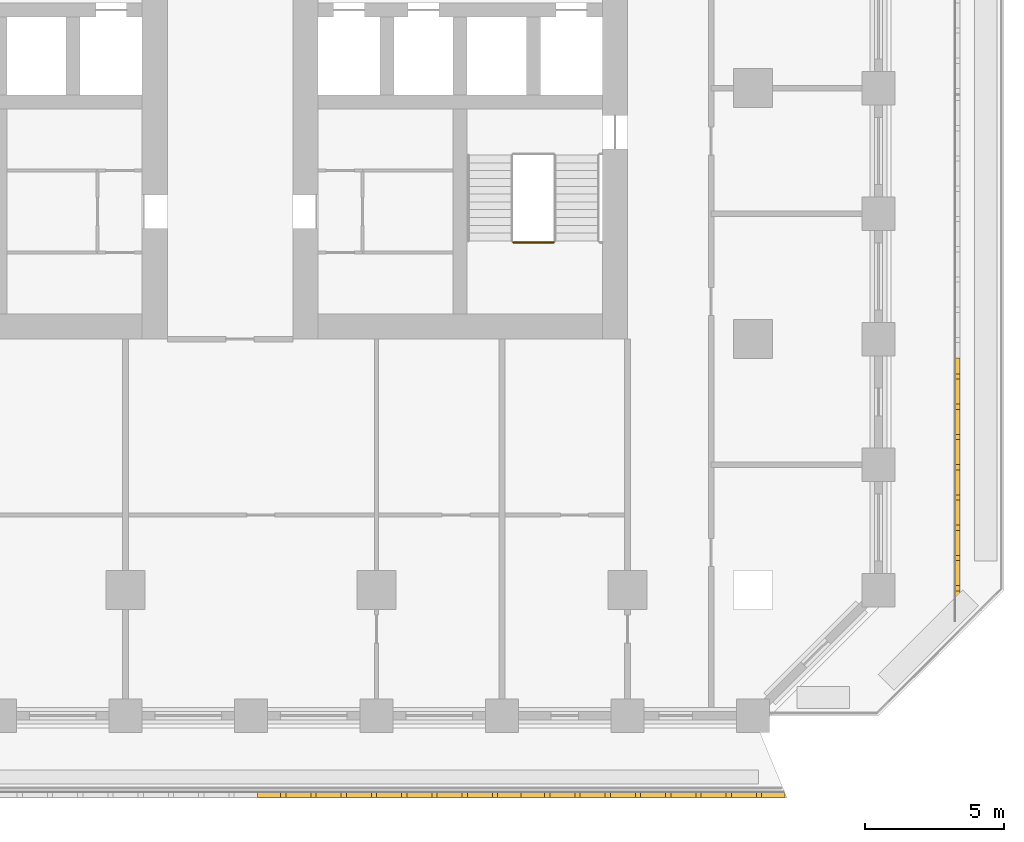
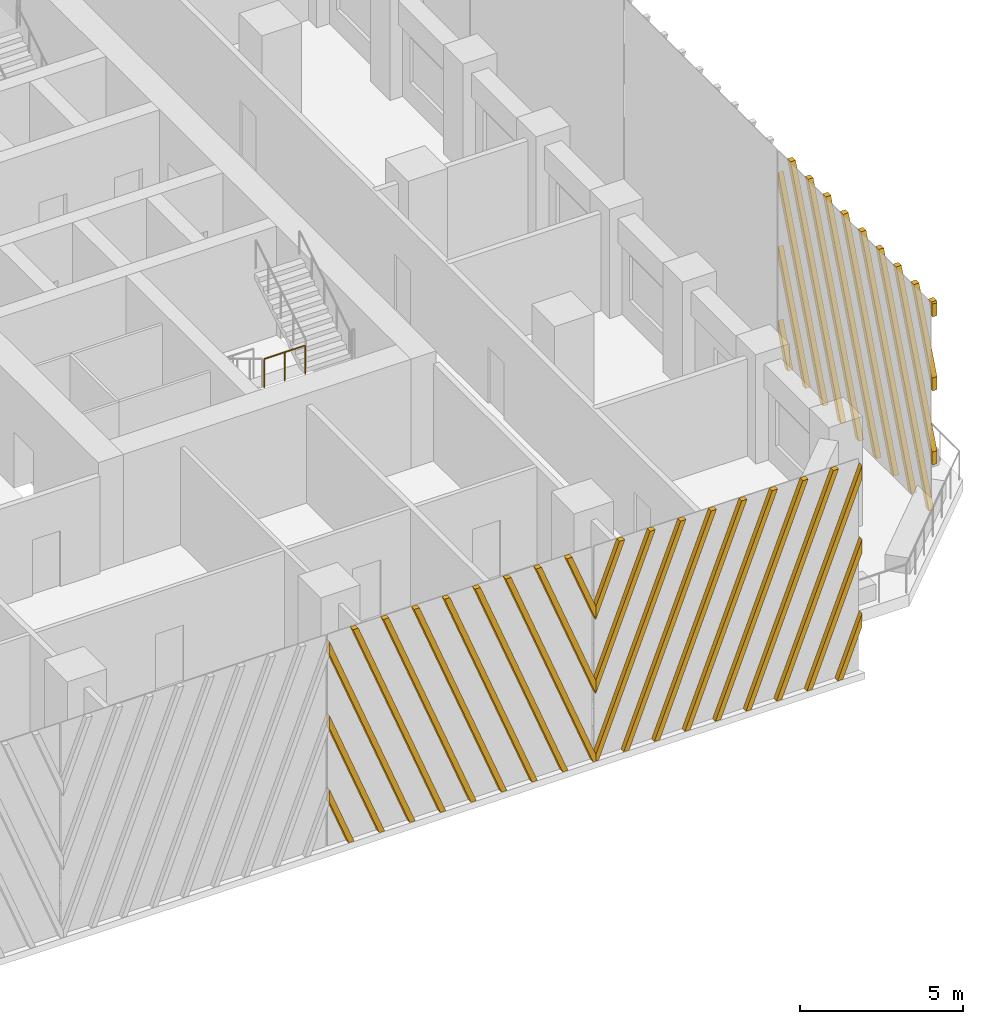
# One storey, part 12 of 19: 3 shading devices, 1 railing.
"""IFC4 building model written with IfcOpenShell, lengths in metres."""

from ifc_helpers import new_model, si_unit, direction, frame, origin, origin_2d, place, context, subcontext, project, spatial, polyline, circle, outline, extrude, source, transform, mapped, material, type_object, element, save


model = new_model("IFC4")

# Units and contexts
model_context = context("Model", 3, precision=1e-05, world=origin(), true_north=direction((0.0, 1.0)))
body_context = subcontext(model_context, "Body", "Model", "MODEL_VIEW")
ifc_project = project(units=[si_unit("LENGTHUNIT", "METRE"), si_unit("AREAUNIT", "SQUARE_METRE"), si_unit("VOLUMEUNIT", "CUBIC_METRE"), si_unit("PLANEANGLEUNIT", "RADIAN"), si_unit("MASSUNIT", "GRAM", prefix="KILO")], contexts=[model_context])

# Site, building, storey
site_placement = place(None, origin())
site = spatial("IfcSite", under=ifc_project, at=site_placement, CompositionType="ELEMENT")
building_placement = place(site_placement, origin())
building = spatial("IfcBuilding", under=site, at=building_placement, Name="Corbel Stack Research Tower", CompositionType="ELEMENT")
storey_placement = place(building_placement, frame((0.0, 0.0, 116.699951171875)))
storey = spatial("IfcBuildingStorey", under=building, at=storey_placement, Name="L26", CompositionType="ELEMENT", Elevation=116.699951171875)

# Railing
ifc_material_1 = material(Name="Steel S355", Category="steel")
railing_type = type_object("IfcRailingType", Name="Stair guard 1100", PredefinedType="GUARDRAIL", material=ifc_material_1)
railing_placement = place(storey_placement, frame((13.89990234375, -5.530029296875, 2.050048828125)))
element("IfcRailing", 1, at=railing_placement, inside=storey, type_object=railing_type, Name="L26 ST-E1 stair guard 2", PredefinedType="GUARDRAIL", context=body_context, shape_type="SweptSolid", body=[
    extrude(circle(Radius=0.02392578125, at=origin_2d()), frame((0.0, 0.0, 1.076171875), z_axis=(1.0, 0.0, 0.0), x_axis=(0.0, 1.0, 0.0)), (0.0, 0.0, 1.0), 1.4501953125),
    extrude(circle(Radius=0.02099609375, at=origin_2d()), origin(), (0.0, 0.0, 1.0), 1.052001953125),
    extrude(circle(Radius=0.02099609375, at=origin_2d()), frame((0.72509765625, 0.0, 0.0)), (0.0, 0.0, 1.0), 1.052001953125),
    extrude(circle(Radius=0.02099609375, at=origin_2d()), frame((1.4501953125, 0.0, 0.0)), (0.0, 0.0, 1.0), 1.052001953125),
])

# Shading devices
ifc_material_2 = material(Name="Precast terracotta", Category="masonry")
shading_device_type = type_object("IfcShadingDeviceType", Name="Terracotta screen panel", PredefinedType="USERDEFINED", material=ifc_material_2)
shared_shape_1 = source(origin(), body_context, "Body", "SweptSolid", [
    extrude(outline(polyline([(1.030517578125, 7.949951171875), (0.840576171875, 7.949951171875), (0.0, 5.7978515625), (0.0, 5.311279296875), (1.030517578125, 7.949951171875)])), frame((0.0, 0.0, 0.0), z_axis=(0.0, -1.0, 0.0), x_axis=(1.0, 0.0, 0.0)), (0.0, 0.0, 1.0), 0.179931640625),
    extrude(outline(polyline([(2.115234375, 7.949951171875), (1.92529296875, 7.949951171875), (0.0, 3.0205078125), (0.0, 2.533935546875), (2.115234375, 7.949951171875)])), frame((0.0, 0.0, 0.0), z_axis=(0.0, -1.0, 0.0), x_axis=(1.0, 0.0, 0.0)), (0.0, 0.0, 1.0), 0.179931640625),
    extrude(outline(polyline([(0.094970703125, 0.0), (3.199951171875, 7.949951171875), (3.010009765625, 7.949951171875), (0.0, 0.2431640625), (0.0, 0.0), (0.094970703125, 0.0)])), frame((0.0, 0.0, 0.0), z_axis=(0.0, -1.0, 0.0), x_axis=(1.0, 0.0, 0.0)), (0.0, 0.0, 1.0), 0.179931640625),
    extrude(outline(polyline([(1.1796875, 0.0), (4.284423828125, 7.949951171875), (4.094482421875, 7.949951171875), (0.98974609375, 0.0), (1.1796875, 0.0)])), frame((0.0, 0.0, 0.0), z_axis=(0.0, -1.0, 0.0), x_axis=(1.0, 0.0, 0.0)), (0.0, 0.0, 1.0), 0.179931640625),
    extrude(outline(polyline([(2.264404296875, 0.0), (5.369140625, 7.949951171875), (5.17919921875, 7.949951171875), (2.07421875, 0.0), (2.264404296875, 0.0)])), frame((0.0, 0.0, 0.0), z_axis=(0.0, -1.0, 0.0), x_axis=(1.0, 0.0, 0.0)), (0.0, 0.0, 1.0), 0.179931640625),
    extrude(outline(polyline([(3.34912109375, 0.0), (6.453857421875, 7.949951171875), (6.263916015625, 7.949951171875), (3.158935546875, 0.0), (3.34912109375, 0.0)])), frame((0.0, 0.0, 0.0), z_axis=(0.0, -1.0, 0.0), x_axis=(1.0, 0.0, 0.0)), (0.0, 0.0, 1.0), 0.179931640625),
    extrude(outline(polyline([(4.43359375, 0.0), (7.53857421875, 7.949951171875), (7.348388671875, 7.949951171875), (4.24365234375, 0.0), (4.43359375, 0.0)])), frame((0.0, 0.0, 0.0), z_axis=(0.0, -1.0, 0.0), x_axis=(1.0, 0.0, 0.0)), (0.0, 0.0, 1.0), 0.179931640625),
    extrude(outline(polyline([(5.518310546875, 0.0), (8.623291015625, 7.949951171875), (8.43310546875, 7.949951171875), (5.328369140625, 0.0), (5.518310546875, 0.0)])), frame((0.0, 0.0, 0.0), z_axis=(0.0, -1.0, 0.0), x_axis=(1.0, 0.0, 0.0)), (0.0, 0.0, 1.0), 0.179931640625),
    extrude(outline(polyline([(6.60302734375, 0.0), (9.45556640625, 7.30419921875), (9.45556640625, 7.790771484375), (6.4130859375, 0.0), (6.60302734375, 0.0)])), frame((0.0, 0.0, 0.0), z_axis=(0.0, -1.0, 0.0), x_axis=(1.0, 0.0, 0.0)), (0.0, 0.0, 1.0), 0.179931640625),
    extrude(outline(polyline([(7.687744140625, 0.0), (9.45556640625, 4.52685546875), (9.45556640625, 5.013427734375), (7.497802734375, 0.0), (7.687744140625, 0.0)])), frame((0.0, 0.0, 0.0), z_axis=(0.0, -1.0, 0.0), x_axis=(1.0, 0.0, 0.0)), (0.0, 0.0, 1.0), 0.179931640625),
    extrude(outline(polyline([(8.772216796875, 0.0), (9.45556640625, 1.74951171875), (9.45556640625, 2.236083984375), (8.582275390625, 0.0), (8.772216796875, 0.0)])), frame((0.0, 0.0, 0.0), z_axis=(0.0, -1.0, 0.0), x_axis=(1.0, 0.0, 0.0)), (0.0, 0.0, 1.0), 0.179931640625),
])
shading_device_1_placement = place(storey_placement, frame((14.18359375, -25.25, 0.0), z_axis=(0.0, 0.0, 1.0), x_axis=(1.0, 0.0, 0.0)))
element("IfcShadingDevice", 2, at=shading_device_1_placement, inside=storey, type_object=shading_device_type, Name="Terracotta screen L26 S5", ObjectType="SCREEN", PredefinedType="USERDEFINED", context=body_context, shape_type="MappedRepresentation", body=[
    mapped(shared_shape_1, transform((0.0, 0.0, 0.0))),
])
shared_shape_2 = source(origin(), body_context, "Body", "SweptSolid", [
    extrude(outline(polyline([(0.873291015625, 0.0), (0.0, 2.236083984375), (0.0, 1.74951171875), (0.683349609375, 0.0), (0.873291015625, 0.0)])), frame((0.0, 0.0, 0.0), z_axis=(0.0, -1.0, 0.0), x_axis=(1.0, 0.0, 0.0)), (0.0, 0.0, 1.0), 0.179931640625),
    extrude(outline(polyline([(1.9580078125, 0.0), (0.0, 5.013427734375), (0.0, 4.52685546875), (1.76806640625, 0.0), (1.9580078125, 0.0)])), frame((0.0, 0.0, 0.0), z_axis=(0.0, -1.0, 0.0), x_axis=(1.0, 0.0, 0.0)), (0.0, 0.0, 1.0), 0.179931640625),
    extrude(outline(polyline([(3.04248046875, 0.0), (0.0, 7.790771484375), (0.0, 7.30419921875), (2.8525390625, 0.0), (3.04248046875, 0.0)])), frame((0.0, 0.0, 0.0), z_axis=(0.0, -1.0, 0.0), x_axis=(1.0, 0.0, 0.0)), (0.0, 0.0, 1.0), 0.179931640625),
    extrude(outline(polyline([(4.127197265625, 0.0), (1.0224609375, 7.949951171875), (0.83251953125, 7.949951171875), (3.937255859375, 0.0), (4.127197265625, 0.0)])), frame((0.0, 0.0, 0.0), z_axis=(0.0, -1.0, 0.0), x_axis=(1.0, 0.0, 0.0)), (0.0, 0.0, 1.0), 0.179931640625),
    extrude(outline(polyline([(5.2119140625, 0.0), (2.107177734375, 7.949951171875), (1.9169921875, 7.949951171875), (5.02197265625, 0.0), (5.2119140625, 0.0)])), frame((0.0, 0.0, 0.0), z_axis=(0.0, -1.0, 0.0), x_axis=(1.0, 0.0, 0.0)), (0.0, 0.0, 1.0), 0.179931640625),
    extrude(outline(polyline([(6.296630859375, 0.0), (3.19189453125, 7.949951171875), (3.001708984375, 7.949951171875), (6.106689453125, 0.0), (6.296630859375, 0.0)])), frame((0.0, 0.0, 0.0), z_axis=(0.0, -1.0, 0.0), x_axis=(1.0, 0.0, 0.0)), (0.0, 0.0, 1.0), 0.179931640625),
    extrude(outline(polyline([(7.38134765625, 0.0), (4.276611328125, 7.949951171875), (4.08642578125, 7.949951171875), (7.19140625, 0.0), (7.38134765625, 0.0)])), frame((0.0, 0.0, 0.0), z_axis=(0.0, -1.0, 0.0), x_axis=(1.0, 0.0, 0.0)), (0.0, 0.0, 1.0), 0.179931640625),
    extrude(outline(polyline([(8.466064453125, 0.0), (5.361083984375, 7.949951171875), (5.171142578125, 7.949951171875), (8.27587890625, 0.0), (8.466064453125, 0.0)])), frame((0.0, 0.0, 0.0), z_axis=(0.0, -1.0, 0.0), x_axis=(1.0, 0.0, 0.0)), (0.0, 0.0, 1.0), 0.179931640625),
    extrude(outline(polyline([(9.45556640625, 0.0), (9.45556640625, 0.2431640625), (6.44580078125, 7.949951171875), (6.255859375, 7.949951171875), (9.360595703125, 0.0), (9.45556640625, 0.0)])), frame((0.0, 0.0, 0.0), z_axis=(0.0, -1.0, 0.0), x_axis=(1.0, 0.0, 0.0)), (0.0, 0.0, 1.0), 0.179931640625),
    extrude(outline(polyline([(7.530517578125, 7.949951171875), (7.34033203125, 7.949951171875), (9.45556640625, 2.533935546875), (9.45556640625, 3.0205078125), (7.530517578125, 7.949951171875)])), frame((0.0, 0.0, 0.0), z_axis=(0.0, -1.0, 0.0), x_axis=(1.0, 0.0, 0.0)), (0.0, 0.0, 1.0), 0.179931640625),
    extrude(outline(polyline([(8.614990234375, 7.949951171875), (8.425048828125, 7.949951171875), (9.45556640625, 5.311279296875), (9.45556640625, 5.7978515625), (8.614990234375, 7.949951171875)])), frame((0.0, 0.0, 0.0), z_axis=(0.0, -1.0, 0.0), x_axis=(1.0, 0.0, 0.0)), (0.0, 0.0, 1.0), 0.179931640625),
])
shading_device_2_placement = place(storey_placement, frame((4.727783203125, -25.25, 0.0), z_axis=(0.0, 0.0, 1.0), x_axis=(1.0, 0.0, 0.0)))
element("IfcShadingDevice", 3, at=shading_device_2_placement, inside=storey, type_object=shading_device_type, Name="Terracotta screen L26 S4", ObjectType="SCREEN", PredefinedType="USERDEFINED", context=body_context, shape_type="MappedRepresentation", body=[
    mapped(shared_shape_2, transform((0.0, 0.0, 0.0))),
])
shared_shape_3 = source(origin(), body_context, "Body", "SweptSolid", [
    extrude(outline(polyline([(0.217041015625, 7.949951171875), (0.027099609375, 7.949951171875), (0.0, 7.880859375), (0.0, 7.394287109375), (0.217041015625, 7.949951171875)])), frame((0.0, 0.0, 0.0), z_axis=(0.0, -1.0, 0.0), x_axis=(1.0, 0.0, 0.0)), (0.0, 0.0, 1.0), 0.179931640625),
    extrude(outline(polyline([(1.3017578125, 7.949951171875), (1.11181640625, 7.949951171875), (0.0, 5.103515625), (0.0, 4.616943359375), (1.3017578125, 7.949951171875)])), frame((0.0, 0.0, 0.0), z_axis=(0.0, -1.0, 0.0), x_axis=(1.0, 0.0, 0.0)), (0.0, 0.0, 1.0), 0.179931640625),
    extrude(outline(polyline([(2.386474609375, 7.949951171875), (2.1962890625, 7.949951171875), (0.0, 2.326171875), (0.0, 1.839599609375), (2.386474609375, 7.949951171875)])), frame((0.0, 0.0, 0.0), z_axis=(0.0, -1.0, 0.0), x_axis=(1.0, 0.0, 0.0)), (0.0, 0.0, 1.0), 0.179931640625),
    extrude(outline(polyline([(0.3662109375, 0.0), (3.470947265625, 7.949951171875), (3.281005859375, 7.949951171875), (0.17626953125, 0.0), (0.3662109375, 0.0)])), frame((0.0, 0.0, 0.0), z_axis=(0.0, -1.0, 0.0), x_axis=(1.0, 0.0, 0.0)), (0.0, 0.0, 1.0), 0.179931640625),
    extrude(outline(polyline([(1.45068359375, 0.0), (4.5556640625, 7.949951171875), (4.36572265625, 7.949951171875), (1.2607421875, 0.0), (1.45068359375, 0.0)])), frame((0.0, 0.0, 0.0), z_axis=(0.0, -1.0, 0.0), x_axis=(1.0, 0.0, 0.0)), (0.0, 0.0, 1.0), 0.179931640625),
    extrude(outline(polyline([(2.535400390625, 0.0), (5.640380859375, 7.949951171875), (5.4501953125, 7.949951171875), (2.345458984375, 0.0), (2.535400390625, 0.0)])), frame((0.0, 0.0, 0.0), z_axis=(0.0, -1.0, 0.0), x_axis=(1.0, 0.0, 0.0)), (0.0, 0.0, 1.0), 0.179931640625),
    extrude(outline(polyline([(3.6201171875, 0.0), (6.72509765625, 7.949951171875), (6.534912109375, 7.949951171875), (3.43017578125, 0.0), (3.6201171875, 0.0)])), frame((0.0, 0.0, 0.0), z_axis=(0.0, -1.0, 0.0), x_axis=(1.0, 0.0, 0.0)), (0.0, 0.0, 1.0), 0.179931640625),
    extrude(outline(polyline([(4.704833984375, 0.0), (7.809814453125, 7.949951171875), (7.61962890625, 7.949951171875), (4.514892578125, 0.0), (4.704833984375, 0.0)])), frame((0.0, 0.0, 0.0), z_axis=(0.0, -1.0, 0.0), x_axis=(1.0, 0.0, 0.0)), (0.0, 0.0, 1.0), 0.179931640625),
    extrude(outline(polyline([(5.78955078125, 0.0), (8.894287109375, 7.949951171875), (8.704345703125, 7.949951171875), (5.599609375, 0.0), (5.78955078125, 0.0)])), frame((0.0, 0.0, 0.0), z_axis=(0.0, -1.0, 0.0), x_axis=(1.0, 0.0, 0.0)), (0.0, 0.0, 1.0), 0.179931640625),
    extrude(outline(polyline([(6.874267578125, 0.0), (9.45556640625, 6.60986328125), (9.45556640625, 7.096435546875), (6.68408203125, 0.0), (6.874267578125, 0.0)])), frame((0.0, 0.0, 0.0), z_axis=(0.0, -1.0, 0.0), x_axis=(1.0, 0.0, 0.0)), (0.0, 0.0, 1.0), 0.179931640625),
    extrude(outline(polyline([(7.958740234375, 0.0), (9.45556640625, 3.83251953125), (9.45556640625, 4.319091796875), (7.768798828125, 0.0), (7.958740234375, 0.0)])), frame((0.0, 0.0, 0.0), z_axis=(0.0, -1.0, 0.0), x_axis=(1.0, 0.0, 0.0)), (0.0, 0.0, 1.0), 0.179931640625),
    extrude(outline(polyline([(9.04345703125, 0.0), (9.45556640625, 1.055419921875), (9.45556640625, 1.541748046875), (8.853515625, 0.0), (9.04345703125, 0.0)])), frame((0.0, 0.0, 0.0), z_axis=(0.0, -1.0, 0.0), x_axis=(1.0, 0.0, 0.0)), (0.0, 0.0, 1.0), 0.179931640625),
])
shading_device_3_placement = place(storey_placement, frame((29.75, -19.13916015625, 0.0), z_axis=(0.0, 0.0, 1.0), x_axis=(0.0, 1.0, 0.0)))
element("IfcShadingDevice", 4, at=shading_device_3_placement, inside=storey, type_object=shading_device_type, Name="Terracotta screen L26 E1", ObjectType="SCREEN", PredefinedType="USERDEFINED", context=body_context, shape_type="MappedRepresentation", body=[
    mapped(shared_shape_3, transform((0.0, 0.0, 0.0))),
])

save(model, "model.ifc")
